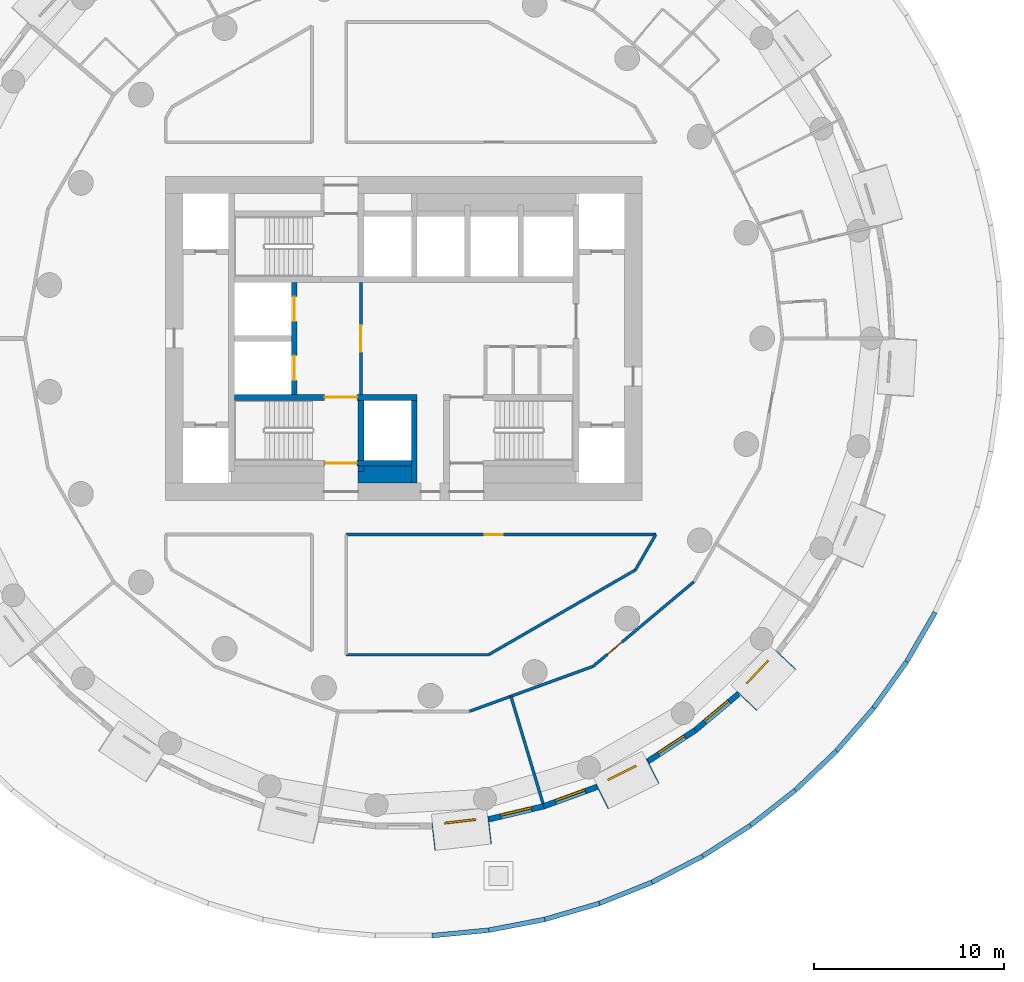
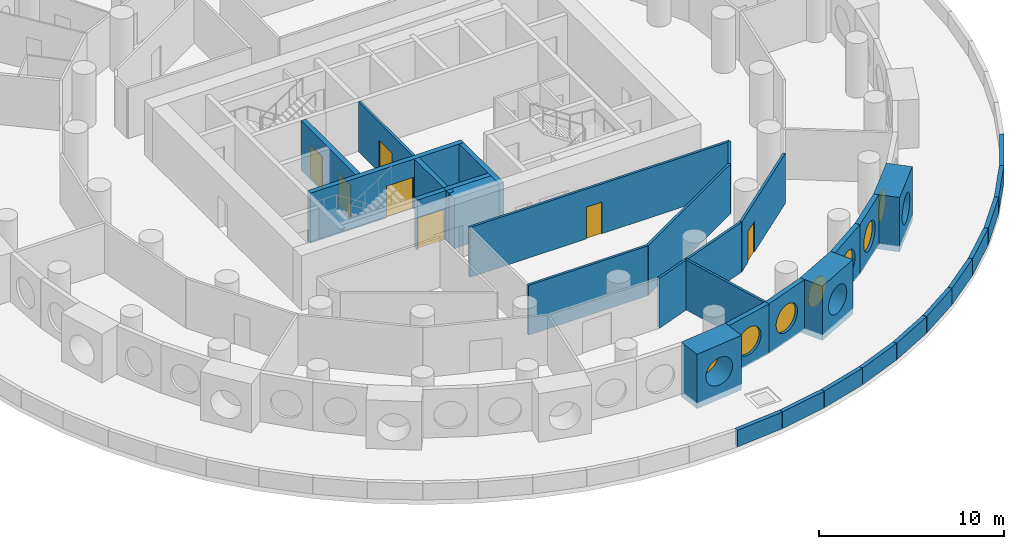
# One storey, part 4 of 13: 33 walls, 7 doors, 7 windows, 14 openings.
"""IFC4 building model written with IfcOpenShell, lengths in metres."""

from ifc_helpers import new_model, si_unit, direction, frame, frame_2d, origin, origin_2d, place, context, subcontext, project, spatial, rectangle, circle, extrude, material, layer, layer_set, type_object, element, fill, save


model = new_model("IFC4")

# Units and contexts
model_context = context("Model", 3, precision=1e-05, world=origin(), true_north=direction((0.0, 1.0)))
body_context = subcontext(model_context, "Body", "Model", "MODEL_VIEW")
ifc_project = project(units=[si_unit("LENGTHUNIT", "METRE"), si_unit("AREAUNIT", "SQUARE_METRE"), si_unit("VOLUMEUNIT", "CUBIC_METRE"), si_unit("PLANEANGLEUNIT", "RADIAN"), si_unit("MASSUNIT", "GRAM", prefix="KILO")], contexts=[model_context])

# Site, building, storey
site_placement = place(None, origin())
site = spatial("IfcSite", under=ifc_project, at=site_placement, CompositionType="ELEMENT")
building_placement = place(site_placement, origin())
building = spatial("IfcBuilding", under=site, at=building_placement, Name="Tracery Tower", CompositionType="ELEMENT")
storey_placement = place(building_placement, frame((0.0, 0.0, 126.0)))
storey = spatial("IfcBuildingStorey", under=building, at=storey_placement, Name="L31", CompositionType="ELEMENT", Elevation=126.0)

# Wall, opening, door
ifc_material_1 = material(Name="Plasterboard on steel studs", Category="steel")
ifc_layer_1 = layer(ifc_material_1, 0.14990234375)
ifc_layer_set_1 = layer_set([ifc_layer_1], Name="Core lobby partition 150")
wall_type_1 = type_object("IfcWallType", Name="Core lobby partition 150", PredefinedType="SOLIDWALL", material=ifc_layer_set_1)
wall_1_placement = place(storey_placement, frame((-2.25, -2.949951171875, 0.0), z_axis=(0.0, 0.0, 1.0), x_axis=(0.0, 1.0, 0.0)))
wall_1 = element("IfcWall", 1, at=wall_1_placement, inside=storey, type_object=wall_type_1, Name="L31 FF lobby E", PredefinedType="SOLIDWALL", context=body_context, shape_type="SweptSolid", body=[
    extrude(rectangle(XDim=5.89990234375, YDim=0.14990234375, at=frame_2d((2.949951171875, 0.0))), origin(), (0.0, 0.0, 1.0), 3.300048828125),
])
opening_1_placement = place(wall_1_placement, frame((2.25, 0.0, 0.0)))
opening_1 = element("IfcOpeningElement", 2, at=opening_1_placement, cuts=wall_1, Name="Opening KD8", PredefinedType="OPENING", context=body_context, shape_type="SweptSolid", body=[
    extrude(rectangle(XDim=1.39990234375, YDim=2.10009765625, at=frame_2d((0.699951171875, 1.050048828125))), frame((0.0, 0.074951171875, 0.0), z_axis=(0.0, -1.0, 0.0), x_axis=(1.0, 0.0, 0.0)), (0.0, 0.0, 1.0), 0.14990234375),
])
ifc_material_2 = material(Name="Steel fire door", Category="steel")
door_type_1 = type_object("IfcDoorType", Name="Core lobby door 1400 double", OperationType="NOTDEFINED", PredefinedType="DOOR", material=ifc_material_2)
door_1_placement = place(opening_1_placement, origin())
door_1 = element("IfcDoor", 3, at=door_1_placement, inside=storey, type_object=door_type_1, Name="Fire-fighting lobby door", OperationType="DOUBLE_DOOR_SINGLE_SWING", OverallHeight=2.10009765625, OverallWidth=1.39990234375, PredefinedType="DOOR", context=body_context, shape_type="SweptSolid", body=[
    extrude(rectangle(XDim=1.39990234375, YDim=2.10009765625, at=frame_2d((0.699951171875, 1.050048828125))), frame((0.0, 0.02490234375, 0.0), z_axis=(0.0, -1.0, 0.0), x_axis=(1.0, 0.0, 0.0)), (0.0, 0.0, 1.0), 0.050048828125),
])
fill(opening_1, door_1)

# Wall
ifc_material_3 = material(Name="Concrete C50/60", Category="concrete")
ifc_layer_2 = layer(ifc_material_3, 0.89990234375)
ifc_layer_set_2 = layer_set([ifc_layer_2], Name="Core strip wall 900 C50")
wall_type_2 = type_object("IfcWallType", Name="Core strip wall 900 C50", PredefinedType="SOLIDWALL", material=ifc_layer_set_2)
wall_2_placement = place(storey_placement, frame((-2.39990234375, -7.14990234375, 0.0), z_axis=(0.0, 0.0, 1.0), x_axis=(1.0, 0.0, 0.0)))
element("IfcWall", 4, at=wall_2_placement, inside=storey, type_object=wall_type_2, Name="L31 F thick S mid", PredefinedType="SOLIDWALL", context=body_context, shape_type="SweptSolid", body=[
    extrude(rectangle(XDim=2.7998046875, YDim=0.89990234375, at=frame_2d((1.39990234375, 0.0))), origin(), (0.0, 0.0, 1.0), 3.300048828125),
])

# Wall, opening, window
ifc_material_4 = material(Name="Precast concrete C50/60", Category="concrete")
ifc_layer_3 = layer(ifc_material_4, 1.449951171875)
ifc_layer_set_3 = layer_set([ifc_layer_3], Name="Deep-set bay unit 3000 x 3600, slab edge 300")
wall_type_3 = type_object("IfcWallType", Name="Deep-set bay unit 3000 x 3600, slab edge 300", PredefinedType="ELEMENTEDWALL", material=ifc_layer_set_3)
wall_3_placement = place(storey_placement, frame((1.54931640625, -26.17626953125, -0.300048828125), z_axis=(0.0, 0.0, 1.0), x_axis=(0.9932342274, 0.116128246006, 0.0)))
wall_3 = element("IfcWall", 5, at=wall_3_placement, inside=storey, type_object=wall_type_3, Name="Deep-set bay unit 42 at L31", PredefinedType="ELEMENTEDWALL", context=body_context, shape_type="SweptSolid", body=[
    extrude(rectangle(XDim=3.0, YDim=1.449951171875, at=frame_2d((1.5, 0.0))), origin(), (0.0, 0.0, 1.0), 3.60009765625),
])
opening_2_placement = place(wall_3_placement, frame((1.5, 0.0, 1.85009765625)))
opening_2 = element("IfcOpeningElement", 6, at=opening_2_placement, cuts=wall_3, Name="Opening WN1", PredefinedType="OPENING", context=body_context, shape_type="SweptSolid", body=[
    extrude(circle(Radius=0.9000244140625, at=origin_2d()), frame((0.0, 0.73486328125, 0.0), z_axis=(0.0, -1.0, 0.0), x_axis=(1.0, 0.0, 0.0)), (0.0, 0.0, 1.0), 1.469970703125),
])
ifc_material_5 = material(Name="Aluminium frame with tinted double glazing", Category="aluminium")
window_type = type_object("IfcWindowType", Name="Round window 1800", PartitioningType="SINGLE_PANEL", PredefinedType="WINDOW", material=ifc_material_5)
window_1_placement = place(opening_2_placement, origin())
window_1 = element("IfcWindow", 7, at=window_1_placement, inside=storey, type_object=window_type, Name="Round window 42 at L31", OverallHeight=1.800048828125, OverallWidth=1.800048828125, PartitioningType="SINGLE_PANEL", PredefinedType="WINDOW", context=body_context, shape_type="SweptSolid", body=[
    extrude(circle(Radius=0.9000244140625, at=origin_2d()), frame((0.0, 0.69482421875, 0.0), z_axis=(0.0, -1.0, 0.0), x_axis=(1.0, 0.0, 0.0)), (0.0, 0.0, 1.0), 0.10009765625),
])
fill(opening_2, window_1)

wall_4_placement = place(storey_placement, frame((10.40869140625, -24.067626953125, -0.300048828125), z_axis=(0.0, 0.0, 1.0), x_axis=(0.893628249713, 0.448807922518, 0.0)))
wall_4 = element("IfcWall", 8, at=wall_4_placement, inside=storey, type_object=wall_type_3, Name="Deep-set bay unit 45 at L31", PredefinedType="ELEMENTEDWALL", context=body_context, shape_type="SweptSolid", body=[
    extrude(rectangle(XDim=3.0, YDim=1.449951171875, at=frame_2d((1.5, 0.0))), origin(), (0.0, 0.0, 1.0), 3.60009765625),
])
opening_3_placement = place(wall_4_placement, frame((1.5, 0.0, 1.85009765625)))
opening_3 = element("IfcOpeningElement", 9, at=opening_3_placement, cuts=wall_4, Name="Opening WN1", PredefinedType="OPENING", context=body_context, shape_type="SweptSolid", body=[
    extrude(circle(Radius=0.9000244140625, at=origin_2d()), frame((0.0, 0.73486328125, 0.0), z_axis=(0.0, -1.0, 0.0), x_axis=(1.0, 0.0, 0.0)), (0.0, 0.0, 1.0), 1.469970703125),
])
window_2_placement = place(opening_3_placement, origin())
window_2 = element("IfcWindow", 10, at=window_2_placement, inside=storey, type_object=window_type, Name="Round window 45 at L31", OverallHeight=1.800048828125, OverallWidth=1.800048828125, PartitioningType="SINGLE_PANEL", PredefinedType="WINDOW", context=body_context, shape_type="SweptSolid", body=[
    extrude(circle(Radius=0.9000244140625, at=origin_2d()), frame((0.0, 0.69482421875, 0.0), z_axis=(0.0, -1.0, 0.0), x_axis=(1.0, 0.0, 0.0)), (0.0, 0.0, 1.0), 0.10009765625),
])
fill(opening_3, window_2)

wall_5_placement = place(storey_placement, frame((18.0126953125, -19.05615234375, -0.300048828125), z_axis=(0.0, 0.0, 1.0), x_axis=(0.686217177108, 0.727396718334, 0.0)))
wall_5 = element("IfcWall", 11, at=wall_5_placement, inside=storey, type_object=wall_type_3, Name="Deep-set bay unit 48 at L31", PredefinedType="ELEMENTEDWALL", context=body_context, shape_type="SweptSolid", body=[
    extrude(rectangle(XDim=3.0, YDim=1.449951171875, at=frame_2d((1.5, 0.0))), origin(), (0.0, 0.0, 1.0), 3.60009765625),
])
opening_4_placement = place(wall_5_placement, frame((1.5, 0.0, 1.85009765625)))
opening_4 = element("IfcOpeningElement", 12, at=opening_4_placement, cuts=wall_5, Name="Opening WN1", PredefinedType="OPENING", context=body_context, shape_type="SweptSolid", body=[
    extrude(circle(Radius=0.9000244140625, at=origin_2d()), frame((0.0, 0.73486328125, 0.0), z_axis=(0.0, -1.0, 0.0), x_axis=(1.0, 0.0, 0.0)), (0.0, 0.0, 1.0), 1.469970703125),
])
window_3_placement = place(opening_4_placement, origin())
window_3 = element("IfcWindow", 13, at=window_3_placement, inside=storey, type_object=window_type, Name="Round window 48 at L31", OverallHeight=1.800048828125, OverallWidth=1.800048828125, PartitioningType="SINGLE_PANEL", PredefinedType="WINDOW", context=body_context, shape_type="SweptSolid", body=[
    extrude(circle(Radius=0.9000244140625, at=origin_2d()), frame((0.0, 0.69482421875, 0.0), z_axis=(0.0, -1.0, 0.0), x_axis=(1.0, 0.0, 0.0)), (0.0, 0.0, 1.0), 0.10009765625),
])
fill(opening_4, window_3)

ifc_material_6 = material(Name="Precast concrete C50/60", Category="concrete")
ifc_layer_4 = layer(ifc_material_6, 0.300048828125)
ifc_layer_set_4 = layer_set([ifc_layer_4], Name="Facade panel 3000 x 3300")
wall_type_4 = type_object("IfcWallType", Name="Facade panel 3000 x 3300", PredefinedType="SOLIDWALL", material=ifc_layer_set_4)
wall_6_placement = place(storey_placement, frame((4.463134765625, -25.255615234375, 0.0), z_axis=(0.0, 0.0, 1.0), x_axis=(0.973045378923, 0.230613725862, 0.0)))
wall_6 = element("IfcWall", 14, at=wall_6_placement, inside=storey, type_object=wall_type_4, Name="Facade panel 43 at L31", PredefinedType="SOLIDWALL", context=body_context, shape_type="SweptSolid", body=[
    extrude(rectangle(XDim=2.97265625, YDim=0.300048828125, at=frame_2d((1.486328125, 0.0))), origin(), (0.0, 0.0, 1.0), 3.300048828125),
])
opening_5_placement = place(wall_6_placement, frame((1.486328125, 0.0, 1.5498046875)))
opening_5 = element("IfcOpeningElement", 15, at=opening_5_placement, cuts=wall_6, Name="Opening WN1", PredefinedType="OPENING", context=body_context, shape_type="SweptSolid", body=[
    extrude(circle(Radius=0.9000244140625, at=origin_2d()), frame((0.0, 0.159912109375, 0.0), z_axis=(0.0, -1.0, 0.0), x_axis=(1.0, 0.0, 0.0)), (0.0, 0.0, 1.0), 0.320068359375),
])
window_4_placement = place(opening_5_placement, origin())
window_4 = element("IfcWindow", 16, at=window_4_placement, inside=storey, type_object=window_type, Name="Round window 43 at L31", OverallHeight=1.800048828125, OverallWidth=1.800048828125, PartitioningType="SINGLE_PANEL", PredefinedType="WINDOW", context=body_context, shape_type="SweptSolid", body=[
    extrude(circle(Radius=0.9000244140625, at=origin_2d()), frame((0.0, 0.1201171875, 0.0), z_axis=(0.0, -1.0, 0.0), x_axis=(1.0, 0.0, 0.0)), (0.0, 0.0, 1.0), 0.10009765625),
])
fill(opening_5, window_4)

wall_7_placement = place(storey_placement, frame((7.355712890625, -24.570068359375, 0.0), z_axis=(0.0, 0.0, 1.0), x_axis=(0.939690282133, 0.342026568652, 0.0)))
wall_7 = element("IfcWall", 17, at=wall_7_placement, inside=storey, type_object=wall_type_4, Name="Facade panel 44 at L31", PredefinedType="SOLIDWALL", context=body_context, shape_type="SweptSolid", body=[
    extrude(rectangle(XDim=2.972900390625, YDim=0.300048828125, at=frame_2d((1.486328125, 0.0))), origin(), (0.0, 0.0, 1.0), 3.300048828125),
])
opening_6_placement = place(wall_7_placement, frame((1.486328125, 0.0, 1.5498046875)))
opening_6 = element("IfcOpeningElement", 18, at=opening_6_placement, cuts=wall_7, Name="Opening WN1", PredefinedType="OPENING", context=body_context, shape_type="SweptSolid", body=[
    extrude(circle(Radius=0.9000244140625, at=origin_2d()), frame((0.0, 0.159912109375, 0.0), z_axis=(0.0, -1.0, 0.0), x_axis=(1.0, 0.0, 0.0)), (0.0, 0.0, 1.0), 0.320068359375),
])
window_5_placement = place(opening_6_placement, origin())
window_5 = element("IfcWindow", 19, at=window_5_placement, inside=storey, type_object=window_type, Name="Round window 44 at L31", OverallHeight=1.800048828125, OverallWidth=1.800048828125, PartitioningType="SINGLE_PANEL", PredefinedType="WINDOW", context=body_context, shape_type="SweptSolid", body=[
    extrude(circle(Radius=0.9000244140625, at=origin_2d()), frame((0.0, 0.1201171875, 0.0), z_axis=(0.0, -1.0, 0.0), x_axis=(1.0, 0.0, 0.0)), (0.0, 0.0, 1.0), 0.10009765625),
])
fill(opening_6, window_5)

wall_8_placement = place(storey_placement, frame((12.831787109375, -22.2060546875, 0.0), z_axis=(0.0, 0.0, 1.0), x_axis=(0.835508361394, 0.54947773207, 0.0)))
wall_8 = element("IfcWall", 20, at=wall_8_placement, inside=storey, type_object=wall_type_4, Name="Facade panel 46 at L31", PredefinedType="SOLIDWALL", context=body_context, shape_type="SweptSolid", body=[
    extrude(rectangle(XDim=2.972900390625, YDim=0.300048828125, at=frame_2d((1.486328125, 0.0))), origin(), (0.0, 0.0, 1.0), 3.300048828125),
])
opening_7_placement = place(wall_8_placement, frame((1.486328125, 0.0, 1.5498046875)))
opening_7 = element("IfcOpeningElement", 21, at=opening_7_placement, cuts=wall_8, Name="Opening WN1", PredefinedType="OPENING", context=body_context, shape_type="SweptSolid", body=[
    extrude(circle(Radius=0.9000244140625, at=origin_2d()), frame((0.0, 0.159912109375, 0.0), z_axis=(0.0, -1.0, 0.0), x_axis=(1.0, 0.0, 0.0)), (0.0, 0.0, 1.0), 0.320068359375),
])
window_6_placement = place(opening_7_placement, origin())
window_6 = element("IfcWindow", 22, at=window_6_placement, inside=storey, type_object=window_type, Name="Round window 46 at L31", OverallHeight=1.800048828125, OverallWidth=1.800048828125, PartitioningType="SINGLE_PANEL", PredefinedType="WINDOW", context=body_context, shape_type="SweptSolid", body=[
    extrude(circle(Radius=0.9000244140625, at=origin_2d()), frame((0.0, 0.1201171875, 0.0), z_axis=(0.0, -1.0, 0.0), x_axis=(1.0, 0.0, 0.0)), (0.0, 0.0, 1.0), 0.10009765625),
])
fill(opening_7, window_6)

wall_9_placement = place(storey_placement, frame((15.315673828125, -20.572509765625, 0.0), z_axis=(0.0, 0.0, 1.0), x_axis=(0.766008913364, 0.642829950023, 0.0)))
wall_9 = element("IfcWall", 23, at=wall_9_placement, inside=storey, type_object=wall_type_4, Name="Facade panel 47 at L31", PredefinedType="SOLIDWALL", context=body_context, shape_type="SweptSolid", body=[
    extrude(rectangle(XDim=2.972900390625, YDim=0.300048828125, at=frame_2d((1.486328125, 0.0))), origin(), (0.0, 0.0, 1.0), 3.300048828125),
])
opening_8_placement = place(wall_9_placement, frame((1.486328125, 0.0, 1.5498046875)))
opening_8 = element("IfcOpeningElement", 24, at=opening_8_placement, cuts=wall_9, Name="Opening WN1", PredefinedType="OPENING", context=body_context, shape_type="SweptSolid", body=[
    extrude(circle(Radius=0.9000244140625, at=origin_2d()), frame((0.0, 0.159912109375, 0.0), z_axis=(0.0, -1.0, 0.0), x_axis=(1.0, 0.0, 0.0)), (0.0, 0.0, 1.0), 0.320068359375),
])
window_7_placement = place(opening_8_placement, origin())
window_7 = element("IfcWindow", 25, at=window_7_placement, inside=storey, type_object=window_type, Name="Round window 47 at L31", OverallHeight=1.800048828125, OverallWidth=1.800048828125, PartitioningType="SINGLE_PANEL", PredefinedType="WINDOW", context=body_context, shape_type="SweptSolid", body=[
    extrude(circle(Radius=0.9000244140625, at=origin_2d()), frame((0.0, 0.1201171875, 0.0), z_axis=(0.0, -1.0, 0.0), x_axis=(1.0, 0.0, 0.0)), (0.0, 0.0, 1.0), 0.10009765625),
])
fill(opening_8, window_7)

# Wall
ifc_material_7 = material(Name="Plasterboard on steel studs", Category="steel")
ifc_layer_5 = layer(ifc_material_7, 0.14990234375)
ifc_layer_set_5 = layer_set([ifc_layer_5], Name="Partition 150 acoustic unit wall")
wall_type_5 = type_object("IfcWallType", Name="Partition 150 acoustic unit wall", PredefinedType="PARTITIONING", material=ifc_layer_set_5)
wall_10_placement = place(storey_placement, frame((5.626953125, -18.794921875, 0.0), z_axis=(0.0, 0.0, 1.0), x_axis=(0.286833432865, -0.957980470464, 0.0)))
element("IfcWall", 26, at=wall_10_placement, inside=storey, type_object=wall_type_5, Name="Unit wall RB1-079", PredefinedType="PARTITIONING", context=body_context, shape_type="SweptSolid", body=[
    extrude(rectangle(XDim=5.878173828125, YDim=0.14990234375, at=frame_2d((2.93896484375, 0.0))), origin(), (0.0, 0.0, 1.0), 3.300048828125),
])

# Wall, opening, door
ifc_material_8 = material(Name="Plasterboard on steel studs", Category="steel")
ifc_layer_6 = layer(ifc_material_8, 0.14990234375)
ifc_layer_set_6 = layer_set([ifc_layer_6], Name="Partition 150 corridor wall")
wall_type_6 = type_object("IfcWallType", Name="Partition 150 corridor wall", PredefinedType="PARTITIONING", material=ifc_layer_set_6)
wall_11_placement = place(storey_placement, frame((-3.02490234375, -10.300048828125, 0.0), z_axis=(0.0, 0.0, 1.0), x_axis=(1.0, 0.0, 0.0)))
wall_11 = element("IfcWall", 27, at=wall_11_placement, inside=storey, type_object=wall_type_6, Name="Corridor wall RB1-004", PredefinedType="PARTITIONING", context=body_context, shape_type="SweptSolid", body=[
    extrude(rectangle(XDim=16.261962890625, YDim=0.14990234375, at=frame_2d((8.130859375, 0.0))), origin(), (0.0, 0.0, 1.0), 3.300048828125),
])
opening_9_placement = place(wall_11_placement, frame((7.287109375, 0.0, 0.0)))
opening_9 = element("IfcOpeningElement", 28, at=opening_9_placement, cuts=wall_11, Name="Opening RB1-04", PredefinedType="OPENING", context=body_context, shape_type="SweptSolid", body=[
    extrude(rectangle(XDim=0.949951171875, YDim=2.10009765625, at=frame_2d((0.47509765625, 1.050048828125))), frame((0.0, 0.074951171875, 0.0), z_axis=(0.0, -1.0, 0.0), x_axis=(1.0, 0.0, 0.0)), (0.0, 0.0, 1.0), 0.14990234375),
])
ifc_material_9 = material(Name="Timber door leaf", Category="wood")
door_type_2 = type_object("IfcDoorType", Name="Door store 950", OperationType="NOTDEFINED", PredefinedType="DOOR", material=ifc_material_9)
door_2_placement = place(opening_9_placement, origin())
door_2 = element("IfcDoor", 29, at=door_2_placement, inside=storey, type_object=door_type_2, Name="Store door RB1-04", OperationType="SINGLE_SWING_RIGHT", OverallHeight=2.10009765625, OverallWidth=0.949951171875, PredefinedType="DOOR", context=body_context, shape_type="SweptSolid", body=[
    extrude(rectangle(XDim=0.949951171875, YDim=2.10009765625, at=frame_2d((0.47509765625, 1.050048828125))), frame((0.0, 0.02490234375, 0.0), z_axis=(0.0, -1.0, 0.0), x_axis=(1.0, 0.0, 0.0)), (0.0, 0.0, 1.0), 0.050048828125),
])
fill(opening_9, door_2)

# Wall
wall_12_placement = place(storey_placement, frame((12.162109375, -12.162109375, 0.0), z_axis=(0.0, 0.0, 1.0), x_axis=(0.499961633463, 0.866047553582, 0.0)))
element("IfcWall", 30, at=wall_12_placement, inside=storey, type_object=wall_type_6, Name="Corridor wall RB1-006", PredefinedType="PARTITIONING", context=body_context, shape_type="SweptSolid", body=[
    extrude(rectangle(XDim=2.150146484375, YDim=0.14990234375, at=frame_2d((1.0751953125, 0.0))), origin(), (0.0, 0.0, 1.0), 3.300048828125),
])

# Wall, opening, door
wall_13_placement = place(storey_placement, frame((9.943359375, -17.22216796875, 0.0), z_axis=(0.0, 0.0, 1.0), x_axis=(0.766192104565, 0.642611592567, 0.0)))
wall_13 = element("IfcWall", 31, at=wall_13_placement, inside=storey, type_object=wall_type_6, Name="Corridor wall RB1-011", PredefinedType="PARTITIONING", context=body_context, shape_type="SweptSolid", body=[
    extrude(rectangle(XDim=6.906494140625, YDim=0.14990234375, at=frame_2d((3.453125, 0.0))), origin(), (0.0, 0.0, 1.0), 3.300048828125),
])
opening_10_placement = place(wall_13_placement, frame((0.983642578125, 0.0, 0.0)))
opening_10 = element("IfcOpeningElement", 32, at=opening_10_placement, cuts=wall_13, Name="Opening RB1-30", PredefinedType="OPENING", context=body_context, shape_type="SweptSolid", body=[
    extrude(rectangle(XDim=1.0, YDim=2.0400390625, at=frame_2d((0.5, 1.02001953125))), frame((0.0, 0.074951171875, 0.0), z_axis=(0.0, -1.0, 0.0), x_axis=(1.0, 0.0, 0.0)), (0.0, 0.0, 1.0), 0.14990234375),
])
ifc_material_10 = material(Name="Timber door leaf", Category="wood")
door_type_3 = type_object("IfcDoorType", Name="Door communal room 1000", OperationType="NOTDEFINED", PredefinedType="DOOR", material=ifc_material_10)
door_3_placement = place(opening_10_placement, origin())
door_3 = element("IfcDoor", 33, at=door_3_placement, inside=storey, type_object=door_type_3, Name="Communal room door RB1-30", OperationType="SINGLE_SWING_RIGHT", OverallHeight=2.0400390625, OverallWidth=1.0, PredefinedType="DOOR", context=body_context, shape_type="SweptSolid", body=[
    extrude(rectangle(XDim=1.0, YDim=2.0400390625, at=frame_2d((0.5, 1.02001953125))), frame((0.0, 0.02490234375, 0.0), z_axis=(0.0, -1.0, 0.0), x_axis=(1.0, 0.0, 0.0)), (0.0, 0.0, 1.0), 0.050048828125),
])
fill(opening_10, door_3)

# Walls
wall_14_placement = place(storey_placement, frame((-3.02099609375, -16.614013671875, 0.0), z_axis=(0.0, 0.0, 1.0), x_axis=(1.0, 0.0, 0.0)))
element("IfcWall", 34, at=wall_14_placement, inside=storey, type_object=wall_type_6, Name="Corridor wall RB1-035", PredefinedType="PARTITIONING", context=body_context, shape_type="SweptSolid", body=[
    extrude(rectangle(XDim=7.472900390625, YDim=0.14990234375, at=frame_2d((3.736328125, 0.0))), origin(), (0.0, 0.0, 1.0), 3.300048828125),
])
wall_15_placement = place(storey_placement, frame((4.451904296875, -16.614013671875, 0.0), z_axis=(0.0, 0.0, 1.0), x_axis=(0.866005203721, 0.500034985904, 0.0)))
element("IfcWall", 35, at=wall_15_placement, inside=storey, type_object=wall_type_6, Name="Corridor wall RB1-036", PredefinedType="PARTITIONING", context=body_context, shape_type="SweptSolid", body=[
    extrude(rectangle(XDim=8.903076171875, YDim=0.14990234375, at=frame_2d((4.45166015625, 0.0))), origin(), (0.0, 0.0, 1.0), 3.300048828125),
])
wall_16_placement = place(storey_placement, frame((3.452880859375, -19.5859375, 0.0), z_axis=(0.0, 0.0, 1.0), x_axis=(0.939607544688, 0.342253797591, 0.0)))
element("IfcWall", 36, at=wall_16_placement, inside=storey, type_object=wall_type_6, Name="Corridor wall RB1-038", PredefinedType="PARTITIONING", context=body_context, shape_type="SweptSolid", body=[
    extrude(rectangle(XDim=6.907958984375, YDim=0.14990234375, at=frame_2d((3.4541015625, 0.0))), origin(), (0.0, 0.0, 1.0), 3.300048828125),
])

# Wall, openings, doors
ifc_material_11 = material(Name="Concrete C50/60", Category="concrete")
ifc_layer_7 = layer(ifc_material_11, 0.300048828125)
ifc_layer_set_7 = layer_set([ifc_layer_7], Name="Shaft wall 300 C50")
wall_type_7 = type_object("IfcWallType", Name="Shaft wall 300 C50", PredefinedType="SOLIDWALL", material=ifc_layer_set_7)
wall_17_placement = place(storey_placement, frame((-5.75, -2.949951171875, 0.0), z_axis=(0.0, 0.0, 1.0), x_axis=(0.0, 1.0, 0.0)))
wall_17 = element("IfcWall", 37, at=wall_17_placement, inside=storey, type_object=wall_type_7, Name="L31 FF doors", PredefinedType="SOLIDWALL", context=body_context, shape_type="SweptSolid", body=[
    extrude(rectangle(XDim=5.89990234375, YDim=0.300048828125, at=frame_2d((2.949951171875, 0.0))), origin(), (0.0, 0.0, 1.0), 3.300048828125),
])
opening_11_placement = place(wall_17_placement, frame((0.75, 0.0, 0.0)))
opening_11 = element("IfcOpeningElement", 38, at=opening_11_placement, cuts=wall_17, Name="Opening KD54", PredefinedType="OPENING", context=body_context, shape_type="SweptSolid", body=[
    extrude(rectangle(XDim=1.300048828125, YDim=2.10009765625, at=frame_2d((0.64990234375, 1.050048828125))), frame((0.0, 0.14990234375, 0.0), z_axis=(0.0, -1.0, 0.0), x_axis=(1.0, 0.0, 0.0)), (0.0, 0.0, 1.0), 0.300048828125),
])
opening_12_placement = place(wall_17_placement, frame((3.85009765625, 0.0, 0.0)))
opening_12 = element("IfcOpeningElement", 39, at=opening_12_placement, cuts=wall_17, Name="Opening KD55", PredefinedType="OPENING", context=body_context, shape_type="SweptSolid", body=[
    extrude(rectangle(XDim=1.300048828125, YDim=2.10009765625, at=frame_2d((0.64990234375, 1.050048828125))), frame((0.0, 0.14990234375, 0.0), z_axis=(0.0, -1.0, 0.0), x_axis=(1.0, 0.0, 0.0)), (0.0, 0.0, 1.0), 0.300048828125),
])
ifc_material_12 = material(Name="Steel fire door", Category="steel")
door_type_4 = type_object("IfcDoorType", Name="Landing door FF 1300", OperationType="NOTDEFINED", PredefinedType="DOOR", material=ifc_material_12)
door_4_placement = place(opening_11_placement, origin())
door_4 = element("IfcDoor", 40, at=door_4_placement, inside=storey, type_object=door_type_4, Name="Landing door FF1", OperationType="SLIDING_TO_LEFT", OverallHeight=2.10009765625, OverallWidth=1.300048828125, PredefinedType="DOOR", context=body_context, shape_type="SweptSolid", body=[
    extrude(rectangle(XDim=1.300048828125, YDim=2.10009765625, at=frame_2d((0.64990234375, 1.050048828125))), frame((0.0, 0.02490234375, 0.0), z_axis=(0.0, -1.0, 0.0), x_axis=(1.0, 0.0, 0.0)), (0.0, 0.0, 1.0), 0.050048828125),
])
fill(opening_11, door_4)
door_5_placement = place(opening_12_placement, origin())
door_5 = element("IfcDoor", 41, at=door_5_placement, inside=storey, type_object=door_type_4, Name="Landing door FF2", OperationType="SLIDING_TO_RIGHT", OverallHeight=2.10009765625, OverallWidth=1.300048828125, PredefinedType="DOOR", context=body_context, shape_type="SweptSolid", body=[
    extrude(rectangle(XDim=1.300048828125, YDim=2.10009765625, at=frame_2d((0.64990234375, 1.050048828125))), frame((0.0, 0.02490234375, 0.0), z_axis=(0.0, -1.0, 0.0), x_axis=(1.0, 0.0, 0.0)), (0.0, 0.0, 1.0), 0.050048828125),
])
fill(opening_12, door_5)

# Wall
wall_18_placement = place(storey_placement, frame((0.550048828125, -7.60009765625, 0.0), z_axis=(0.0, 0.0, 1.0), x_axis=(0.0, 1.0, 0.0)))
element("IfcWall", 42, at=wall_18_placement, inside=storey, type_object=wall_type_7, Name="L31 OB2 E", PredefinedType="SOLIDWALL", context=body_context, shape_type="SweptSolid", body=[
    extrude(rectangle(XDim=4.35009765625, YDim=0.300048828125, at=frame_2d((2.175048828125, 0.0))), origin(), (0.0, 0.0, 1.0), 3.300048828125),
])

# Wall, opening, door
ifc_material_13 = material(Name="Concrete C50/60", Category="concrete")
ifc_layer_8 = layer(ifc_material_13, 0.300048828125)
ifc_layer_set_8 = layer_set([ifc_layer_8], Name="Stair wall 300 C50")
wall_type_8 = type_object("IfcWallType", Name="Stair wall 300 C50", PredefinedType="SOLIDWALL", material=ifc_layer_set_8)
wall_19_placement = place(storey_placement, frame((-8.89990234375, -3.10009765625, 0.0), z_axis=(0.0, 0.0, 1.0), x_axis=(1.0, 0.0, 0.0)))
wall_19 = element("IfcWall", 43, at=wall_19_placement, inside=storey, type_object=wall_type_8, Name="L31 row S", PredefinedType="SOLIDWALL", context=body_context, shape_type="SweptSolid", body=[
    extrude(rectangle(XDim=9.599853515625, YDim=0.300048828125, at=frame_2d((4.7998046875, 0.0))), origin(), (0.0, 0.0, 1.0), 3.300048828125),
])
opening_13_placement = place(wall_19_placement, frame((4.75, 0.0, 0.0)))
opening_13 = element("IfcOpeningElement", 44, at=opening_13_placement, cuts=wall_19, Name="Opening KD3", PredefinedType="OPENING", context=body_context, shape_type="SweptSolid", body=[
    extrude(rectangle(XDim=1.699951171875, YDim=2.10009765625, at=frame_2d((0.85009765625, 1.050048828125))), frame((0.0, 0.14990234375, 0.0), z_axis=(0.0, -1.0, 0.0), x_axis=(1.0, 0.0, 0.0)), (0.0, 0.0, 1.0), 0.300048828125),
])
ifc_material_14 = material(Name="Steel fire door", Category="steel")
door_type_5 = type_object("IfcDoorType", Name="Core stair door 1700 double", OperationType="NOTDEFINED", PredefinedType="DOOR", material=ifc_material_14)
door_6_placement = place(opening_13_placement, origin())
door_6 = element("IfcDoor", 45, at=door_6_placement, inside=storey, type_object=door_type_5, Name="Stair door ST1", OperationType="DOUBLE_DOOR_SINGLE_SWING", OverallHeight=2.10009765625, OverallWidth=1.699951171875, PredefinedType="DOOR", context=body_context, shape_type="SweptSolid", body=[
    extrude(rectangle(XDim=1.699951171875, YDim=2.10009765625, at=frame_2d((0.85009765625, 1.050048828125))), frame((0.0, 0.02490234375, 0.0), z_axis=(0.0, -1.0, 0.0), x_axis=(1.0, 0.0, 0.0)), (0.0, 0.0, 1.0), 0.050048828125),
])
fill(opening_13, door_6)

# Walls
wall_20_placement = place(storey_placement, frame((-2.25, -7.0, 0.0), z_axis=(0.0, 0.0, 1.0), x_axis=(0.0, 1.0, 0.0)))
element("IfcWall", 46, at=wall_20_placement, inside=storey, type_object=wall_type_8, Name="L31 ST1 E", PredefinedType="SOLIDWALL", context=body_context, shape_type="SweptSolid", body=[
    extrude(rectangle(XDim=3.75, YDim=0.300048828125, at=frame_2d((1.875, 0.0))), origin(), (0.0, 0.0, 1.0), 3.300048828125),
])
wall_21_placement = place(storey_placement, frame((-2.39990234375, -6.550048828125, 0.0), z_axis=(0.0, 0.0, 1.0), x_axis=(1.0, 0.0, 0.0)))
element("IfcWall", 47, at=wall_21_placement, inside=storey, type_object=wall_type_8, Name="L31 F stair strip S mid", PredefinedType="SOLIDWALL", context=body_context, shape_type="SweptSolid", body=[
    extrude(rectangle(XDim=2.7998046875, YDim=0.300048828125, at=frame_2d((1.39990234375, 0.0))), origin(), (0.0, 0.0, 1.0), 3.300048828125),
])

# Wall, opening, door
wall_22_placement = place(storey_placement, frame((-4.199951171875, -6.550048828125, 0.0), z_axis=(0.0, 0.0, 1.0), x_axis=(1.0, 0.0, 0.0)))
wall_22 = element("IfcWall", 48, at=wall_22_placement, inside=storey, type_object=wall_type_8, Name="L31 F stair S W", PredefinedType="SOLIDWALL", context=body_context, shape_type="SweptSolid", body=[
    extrude(rectangle(XDim=1.800048828125, YDim=0.300048828125, at=frame_2d((0.89990234375, 0.0))), origin(), (0.0, 0.0, 1.0), 3.300048828125),
])
opening_14_placement = place(wall_22_placement, frame((0.050048828125, 0.0, 0.0)))
opening_14 = element("IfcOpeningElement", 49, at=opening_14_placement, cuts=wall_22, Name="Opening KD3", PredefinedType="OPENING", context=body_context, shape_type="SweptSolid", body=[
    extrude(rectangle(XDim=1.699951171875, YDim=2.10009765625, at=frame_2d((0.85009765625, 1.050048828125))), frame((0.0, 0.14990234375, 0.0), z_axis=(0.0, -1.0, 0.0), x_axis=(1.0, 0.0, 0.0)), (0.0, 0.0, 1.0), 0.300048828125),
])
door_7_placement = place(opening_14_placement, origin())
door_7 = element("IfcDoor", 50, at=door_7_placement, inside=storey, type_object=door_type_5, Name="Stair door vest", OperationType="DOUBLE_DOOR_SINGLE_SWING", OverallHeight=2.10009765625, OverallWidth=1.699951171875, PredefinedType="DOOR", context=body_context, shape_type="SweptSolid", body=[
    extrude(rectangle(XDim=1.699951171875, YDim=2.10009765625, at=frame_2d((0.85009765625, 1.050048828125))), frame((0.0, 0.02490234375, 0.0), z_axis=(0.0, -1.0, 0.0), x_axis=(1.0, 0.0, 0.0)), (0.0, 0.0, 1.0), 0.050048828125),
])
fill(opening_14, door_7)

# Walls
ifc_material_15 = material(Name="Precast concrete C50/60", Category="concrete")
ifc_layer_9 = layer(ifc_material_15, 0.25)
ifc_layer_set_9 = layer_set([ifc_layer_9], Name="Terrace parapet 250")
wall_type_9 = type_object("IfcWallType", Name="Terrace parapet 250", PredefinedType="PARAPET", material=ifc_layer_set_9)
wall_23_placement = place(storey_placement, frame((1.5009765625, -31.36328125, 0.0), z_axis=(0.0, 0.0, 1.0), x_axis=(0.995471830115, 0.095057011567, 0.0)))
element("IfcWall", 51, at=wall_23_placement, inside=storey, type_object=wall_type_9, Name="Terrace parapet L31 51", PredefinedType="PARAPET", context=body_context, shape_type="SweptSolid", body=[
    extrude(rectangle(XDim=2.97412109375, YDim=0.25, at=frame_2d((1.487060546875, 0.0))), origin(), (0.0, 0.0, 1.0), 1.10009765625),
])
wall_24_placement = place(storey_placement, frame((4.475341796875, -31.07861328125, 0.0), z_axis=(0.0, 0.0, 1.0), x_axis=(0.98192380474, 0.189276627412, 0.0)))
element("IfcWall", 52, at=wall_24_placement, inside=storey, type_object=wall_type_9, Name="Terrace parapet L31 52", PredefinedType="PARAPET", context=body_context, shape_type="SweptSolid", body=[
    extrude(rectangle(XDim=2.974365234375, YDim=0.25, at=frame_2d((1.4873046875, 0.0))), origin(), (0.0, 0.0, 1.0), 1.10009765625),
])
wall_25_placement = place(storey_placement, frame((7.409423828125, -30.512451171875, 0.0), z_axis=(0.0, 0.0, 1.0), x_axis=(0.959497413058, 0.281717437045, 0.0)))
element("IfcWall", 53, at=wall_25_placement, inside=storey, type_object=wall_type_9, Name="Terrace parapet L31 53", PredefinedType="PARAPET", context=body_context, shape_type="SweptSolid", body=[
    extrude(rectangle(XDim=2.97412109375, YDim=0.25, at=frame_2d((1.487060546875, 0.0))), origin(), (0.0, 0.0, 1.0), 1.10009765625),
])
for number, where, z_axis, x_axis, name in (
    (54, (10.276123046875, -29.669921875, 0.0), (0.0, 0.0, 1.0), (0.928363429238, 0.371673705357, 0.0), "Terrace parapet L31 54"),
    (55, (13.050048828125, -28.558837890625, 0.0), (0.0, 0.0, 1.0), (0.888809436449, 0.458276974852, 0.0), "Terrace parapet L31 55"),
):
    element("IfcWall", number, at=place(storey_placement, frame(where, z_axis=z_axis, x_axis=x_axis)), inside=storey, type_object=wall_type_9, Name=name, PredefinedType="PARAPET", context=body_context, shape_type="SweptSolid", body=[
        extrude(rectangle(XDim=2.974365234375, YDim=0.25, at=frame_2d((1.4873046875, 0.0))), origin(), (0.0, 0.0, 1.0), 1.10009765625),
    ])
wall_26_placement = place(storey_placement, frame((15.70556640625, -27.18896484375, 0.0), z_axis=(0.0, 0.0, 1.0), x_axis=(0.841253148051, 0.540641416185, 0.0)))
element("IfcWall", 56, at=wall_26_placement, inside=storey, type_object=wall_type_9, Name="Terrace parapet L31 56", PredefinedType="PARAPET", context=body_context, shape_type="SweptSolid", body=[
    extrude(rectangle(XDim=2.97412109375, YDim=0.25, at=frame_2d((1.487060546875, 0.0))), origin(), (0.0, 0.0, 1.0), 1.10009765625),
])
wall_27_placement = place(storey_placement, frame((18.218994140625, -25.572998046875, 0.0), z_axis=(0.0, 0.0, 1.0), x_axis=(0.786039120206, 0.618176755876, 0.0)))
element("IfcWall", 57, at=wall_27_placement, inside=storey, type_object=wall_type_9, Name="Terrace parapet L31 57", PredefinedType="PARAPET", context=body_context, shape_type="SweptSolid", body=[
    extrude(rectangle(XDim=2.974365234375, YDim=0.25, at=frame_2d((1.4873046875, 0.0))), origin(), (0.0, 0.0, 1.0), 1.10009765625),
])
for number, where, z_axis, x_axis, name in (
    (58, (20.5673828125, -23.725341796875, 0.0), (0.0, 0.0, 1.0), (0.723694638812, 0.69012032991, 0.0), "Terrace parapet L31 58"),
    (59, (22.7294921875, -21.662841796875, 0.0), (0.0, 0.0, 1.0), (0.654818024412, 0.755786580263, 0.0), "Terrace parapet L31 59"),
):
    element("IfcWall", number, at=place(storey_placement, frame(where, z_axis=z_axis, x_axis=x_axis)), inside=storey, type_object=wall_type_9, Name=name, PredefinedType="PARAPET", context=body_context, shape_type="SweptSolid", body=[
        extrude(rectangle(XDim=2.97412109375, YDim=0.25, at=frame_2d((1.487060546875, 0.0))), origin(), (0.0, 0.0, 1.0), 1.10009765625),
    ])
wall_28_placement = place(storey_placement, frame((24.685791015625, -19.404296875, 0.0), z_axis=(0.0, 0.0, 1.0), x_axis=(0.580010699198, 0.814608856332, 0.0)))
element("IfcWall", 60, at=wall_28_placement, inside=storey, type_object=wall_type_9, Name="Terrace parapet L31 60", PredefinedType="PARAPET", context=body_context, shape_type="SweptSolid", body=[
    extrude(rectangle(XDim=2.974365234375, YDim=0.25, at=frame_2d((1.4873046875, 0.0))), origin(), (0.0, 0.0, 1.0), 1.10009765625),
])
wall_29_placement = place(storey_placement, frame((26.41845703125, -16.9697265625, 0.0), z_axis=(0.0, 0.0, 1.0), x_axis=(0.499997208602, 0.866027015393, 0.0)))
element("IfcWall", 61, at=wall_29_placement, inside=storey, type_object=wall_type_9, Name="Terrace parapet L31 61", PredefinedType="PARAPET", context=body_context, shape_type="SweptSolid", body=[
    extrude(rectangle(XDim=2.97412109375, YDim=0.25, at=frame_2d((1.487060546875, 0.0))), origin(), (0.0, 0.0, 1.0), 1.10009765625),
])

save(model, "model.ifc")
